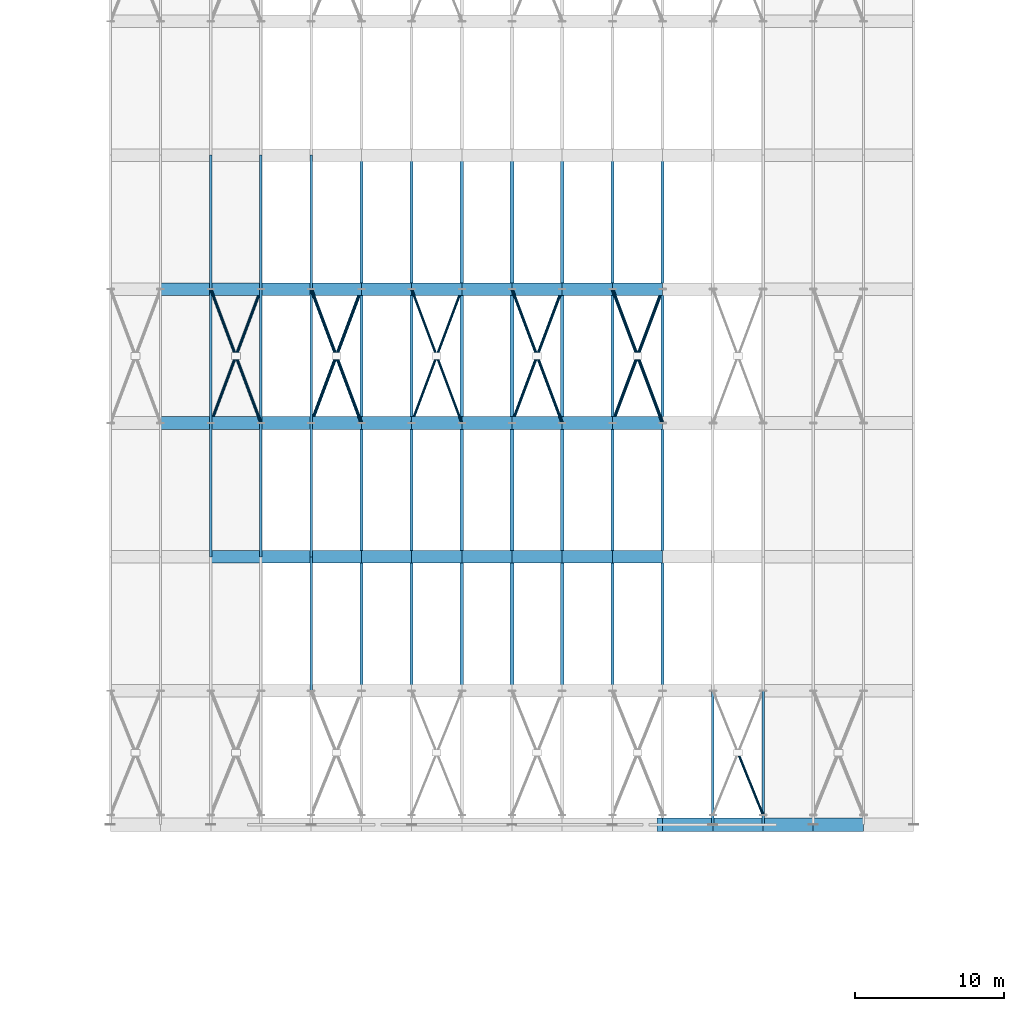
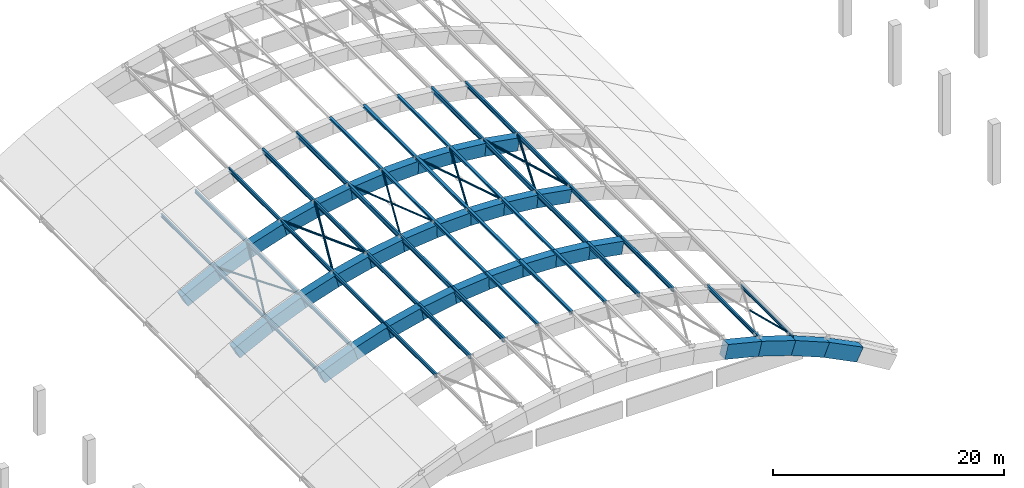
# One storey, part 5 of 30: 73 beams, 16 members.
"""IFC4 building model written with IfcOpenShell, lengths in metres."""

from ifc_helpers import new_model, si_unit, direction, frame, origin, origin_2d, place, context, subcontext, project, spatial, rectangle, hollow_circle, i_section, extrude, material, material_profile, profile_set, type_object, element, save


model = new_model("IFC4")

# Units and contexts
model_context = context("Model", 3, precision=1e-05, world=origin(), true_north=direction((0.0, 1.0)))
body_context = subcontext(model_context, "Body", "Model", "MODEL_VIEW")
ifc_project = project(units=[si_unit("LENGTHUNIT", "METRE"), si_unit("AREAUNIT", "SQUARE_METRE"), si_unit("VOLUMEUNIT", "CUBIC_METRE"), si_unit("PLANEANGLEUNIT", "RADIAN"), si_unit("MASSUNIT", "GRAM", prefix="KILO")], contexts=[model_context])

# Site, building, storey
site_placement = place(None, origin())
site = spatial("IfcSite", under=ifc_project, at=site_placement, CompositionType="ELEMENT")
building_placement = place(site_placement, origin())
building = spatial("IfcBuilding", under=site, at=building_placement, Name="Ornek Quay Market", CompositionType="ELEMENT")
storey_placement = place(building_placement, frame((0.0, 0.0, 12.0)))
storey = spatial("IfcBuildingStorey", under=building, at=storey_placement, Name="L03", CompositionType="ELEMENT", Elevation=12.0)

# Beams
ifc_material_1 = material(Name="Concrete C45/55", Category="concrete")
ifc_material_profile_1 = material_profile(ifc_material_1, rectangle(XDim=0.85009765625, YDim=1.35009765625, at=origin_2d()), Name="RC 850x1350", Category="concrete")
ifc_profile_set_1 = profile_set([ifc_material_profile_1], Name="Concrete C45/55")
beam_type_1 = type_object("IfcBeamType", Name="BM-ARCH-850x1350", PredefinedType="BEAM", material=ifc_profile_set_1)
beam_1_placement = place(storey_placement, frame((70.005615234375, 47.0, 0.10009765625), z_axis=(0.925506425872, 0.0, 0.378731904742), x_axis=(0.0, 1.0, 0.0)))
element("IfcBeam", 1, at=beam_1_placement, inside=storey, type_object=beam_type_1, Name="Arch rib chord F.3", PredefinedType="BEAM", context=body_context, shape_type="SweptSolid", body=[
    extrude(rectangle(XDim=0.85009765625, YDim=1.35009765625, at=origin_2d()), origin(), (0.0, 0.0, 1.0), 3.646728515625),
])
beam_2_placement = place(storey_placement, frame((73.333984375, 47.0, 1.464111328125), z_axis=(0.950807373928, 0.0, 0.309782726575), x_axis=(0.0, 1.0, 0.0)))
element("IfcBeam", 2, at=beam_2_placement, inside=storey, type_object=beam_type_1, Name="Arch rib chord F.4", PredefinedType="BEAM", context=body_context, shape_type="SweptSolid", body=[
    extrude(rectangle(XDim=0.85009765625, YDim=1.35009765625, at=origin_2d()), origin(), (0.0, 0.0, 1.0), 3.549560546875),
])
beam_3_placement = place(storey_placement, frame((76.66259765625, 47.0, 2.550537109375), z_axis=(0.970537665456, 0.0, 0.240949455139), x_axis=(0.0, 1.0, 0.0)))
element("IfcBeam", 3, at=beam_3_placement, inside=storey, type_object=beam_type_1, Name="Arch rib chord F.5", PredefinedType="BEAM", context=body_context, shape_type="SweptSolid", body=[
    extrude(rectangle(XDim=0.85009765625, YDim=1.35009765625, at=origin_2d()), origin(), (0.0, 0.0, 1.0), 3.4775390625),
])
beam_4_placement = place(storey_placement, frame((79.9912109375, 47.0, 3.378662109375), z_axis=(0.985069160971, 0.0, 0.172159077901), x_axis=(0.0, 1.0, 0.0)))
element("IfcBeam", 4, at=beam_4_placement, inside=storey, type_object=beam_type_1, Name="Arch rib chord F.6", PredefinedType="BEAM", context=body_context, shape_type="SweptSolid", body=[
    extrude(rectangle(XDim=0.85009765625, YDim=1.35009765625, at=origin_2d()), origin(), (0.0, 0.0, 1.0), 3.42626953125),
])
beam_5_placement = place(storey_placement, frame((83.319580078125, 47.0, 3.9619140625), z_axis=(0.994648025839, 0.0, 0.10332136611), x_axis=(0.0, 1.0, 0.0)))
element("IfcBeam", 5, at=beam_5_placement, inside=storey, type_object=beam_type_1, Name="Arch rib chord F.7", PredefinedType="BEAM", context=body_context, shape_type="SweptSolid", body=[
    extrude(rectangle(XDim=0.85009765625, YDim=1.35009765625, at=origin_2d()), origin(), (0.0, 0.0, 1.0), 3.39306640625),
])
for number, where, z_axis, x_axis, name in (
    (6, (86.648193359375, 47.0, 4.30908203125), (0.999407715337, 0.0, 0.034412476309), (0.0, 1.0, 0.0), "Arch rib chord F.8"),
    (7, (89.976806640625, 47.0, 4.42529296875), (0.999407715337, 0.0, -0.034412476309), (0.0, 1.0, 0.0), "Arch rib chord F.9"),
):
    element("IfcBeam", number, at=place(storey_placement, frame(where, z_axis=z_axis, x_axis=x_axis)), inside=storey, type_object=beam_type_1, Name=name, PredefinedType="BEAM", context=body_context, shape_type="SweptSolid", body=[
        extrude(rectangle(XDim=0.85009765625, YDim=1.35009765625, at=origin_2d()), origin(), (0.0, 0.0, 1.0), 3.376953125),
    ])
beam_6_placement = place(storey_placement, frame((93.305419921875, 47.0, 4.3125), z_axis=(0.994648025839, 0.0, -0.10332136611), x_axis=(0.0, 1.0, 0.0)))
element("IfcBeam", 8, at=beam_6_placement, inside=storey, type_object=beam_type_1, Name="Arch rib chord F.10", PredefinedType="BEAM", context=body_context, shape_type="SweptSolid", body=[
    extrude(rectangle(XDim=0.85009765625, YDim=1.35009765625, at=origin_2d()), origin(), (0.0, 0.0, 1.0), 3.39306640625),
])
beam_7_placement = place(storey_placement, frame((96.6337890625, 47.0, 3.968505859375), z_axis=(0.985069160971, 0.0, -0.172159077901), x_axis=(0.0, 1.0, 0.0)))
element("IfcBeam", 9, at=beam_7_placement, inside=storey, type_object=beam_type_1, Name="Arch rib chord F.11", PredefinedType="BEAM", context=body_context, shape_type="SweptSolid", body=[
    extrude(rectangle(XDim=0.85009765625, YDim=1.35009765625, at=origin_2d()), origin(), (0.0, 0.0, 1.0), 3.42626953125),
])
beam_8_placement = place(storey_placement, frame((66.677001953125, 56.0, -1.568115234375), z_axis=(0.894245991428, 0.0, 0.447575811248), x_axis=(0.0, 1.0, 0.0)))
element("IfcBeam", 10, at=beam_8_placement, inside=storey, type_object=beam_type_1, Name="Arch rib chord G.2", PredefinedType="BEAM", context=body_context, shape_type="SweptSolid", body=[
    extrude(rectangle(XDim=0.85009765625, YDim=1.35009765625, at=origin_2d()), origin(), (0.0, 0.0, 1.0), 3.774169921875),
])
beam_9_placement = place(storey_placement, frame((70.005615234375, 56.0, 0.10009765625), z_axis=(0.925506425872, 0.0, 0.378731904742), x_axis=(0.0, 1.0, 0.0)))
element("IfcBeam", 11, at=beam_9_placement, inside=storey, type_object=beam_type_1, Name="Arch rib chord G.3", PredefinedType="BEAM", context=body_context, shape_type="SweptSolid", body=[
    extrude(rectangle(XDim=0.85009765625, YDim=1.35009765625, at=origin_2d()), origin(), (0.0, 0.0, 1.0), 3.646728515625),
])
beam_10_placement = place(storey_placement, frame((73.333984375, 56.0, 1.464111328125), z_axis=(0.950807373928, 0.0, 0.309782726575), x_axis=(0.0, 1.0, 0.0)))
element("IfcBeam", 12, at=beam_10_placement, inside=storey, type_object=beam_type_1, Name="Arch rib chord G.4", PredefinedType="BEAM", context=body_context, shape_type="SweptSolid", body=[
    extrude(rectangle(XDim=0.85009765625, YDim=1.35009765625, at=origin_2d()), origin(), (0.0, 0.0, 1.0), 3.549560546875),
])
beam_11_placement = place(storey_placement, frame((76.66259765625, 56.0, 2.550537109375), z_axis=(0.970537665456, 0.0, 0.240949455139), x_axis=(0.0, 1.0, 0.0)))
element("IfcBeam", 13, at=beam_11_placement, inside=storey, type_object=beam_type_1, Name="Arch rib chord G.5", PredefinedType="BEAM", context=body_context, shape_type="SweptSolid", body=[
    extrude(rectangle(XDim=0.85009765625, YDim=1.35009765625, at=origin_2d()), origin(), (0.0, 0.0, 1.0), 3.4775390625),
])
beam_12_placement = place(storey_placement, frame((79.9912109375, 56.0, 3.378662109375), z_axis=(0.985069160971, 0.0, 0.172159077901), x_axis=(0.0, 1.0, 0.0)))
element("IfcBeam", 14, at=beam_12_placement, inside=storey, type_object=beam_type_1, Name="Arch rib chord G.6", PredefinedType="BEAM", context=body_context, shape_type="SweptSolid", body=[
    extrude(rectangle(XDim=0.85009765625, YDim=1.35009765625, at=origin_2d()), origin(), (0.0, 0.0, 1.0), 3.42626953125),
])
beam_13_placement = place(storey_placement, frame((83.319580078125, 56.0, 3.9619140625), z_axis=(0.994648025839, 0.0, 0.10332136611), x_axis=(0.0, 1.0, 0.0)))
element("IfcBeam", 15, at=beam_13_placement, inside=storey, type_object=beam_type_1, Name="Arch rib chord G.7", PredefinedType="BEAM", context=body_context, shape_type="SweptSolid", body=[
    extrude(rectangle(XDim=0.85009765625, YDim=1.35009765625, at=origin_2d()), origin(), (0.0, 0.0, 1.0), 3.39306640625),
])
for number, where, z_axis, x_axis, name in (
    (16, (86.648193359375, 56.0, 4.30908203125), (0.999407715337, 0.0, 0.034412476309), (0.0, 1.0, 0.0), "Arch rib chord G.8"),
    (17, (89.976806640625, 56.0, 4.42529296875), (0.999407715337, 0.0, -0.034412476309), (0.0, 1.0, 0.0), "Arch rib chord G.9"),
):
    element("IfcBeam", number, at=place(storey_placement, frame(where, z_axis=z_axis, x_axis=x_axis)), inside=storey, type_object=beam_type_1, Name=name, PredefinedType="BEAM", context=body_context, shape_type="SweptSolid", body=[
        extrude(rectangle(XDim=0.85009765625, YDim=1.35009765625, at=origin_2d()), origin(), (0.0, 0.0, 1.0), 3.376953125),
    ])
beam_14_placement = place(storey_placement, frame((93.305419921875, 56.0, 4.3125), z_axis=(0.994648025839, 0.0, -0.10332136611), x_axis=(0.0, 1.0, 0.0)))
element("IfcBeam", 18, at=beam_14_placement, inside=storey, type_object=beam_type_1, Name="Arch rib chord G.10", PredefinedType="BEAM", context=body_context, shape_type="SweptSolid", body=[
    extrude(rectangle(XDim=0.85009765625, YDim=1.35009765625, at=origin_2d()), origin(), (0.0, 0.0, 1.0), 3.39306640625),
])
beam_15_placement = place(storey_placement, frame((96.6337890625, 56.0, 3.968505859375), z_axis=(0.985069160971, 0.0, -0.172159077901), x_axis=(0.0, 1.0, 0.0)))
element("IfcBeam", 19, at=beam_15_placement, inside=storey, type_object=beam_type_1, Name="Arch rib chord G.11", PredefinedType="BEAM", context=body_context, shape_type="SweptSolid", body=[
    extrude(rectangle(XDim=0.85009765625, YDim=1.35009765625, at=origin_2d()), origin(), (0.0, 0.0, 1.0), 3.42626953125),
])
beam_16_placement = place(storey_placement, frame((66.677001953125, 65.0, -1.568115234375), z_axis=(0.894245991428, 0.0, 0.447575811248), x_axis=(0.0, 1.0, 0.0)))
element("IfcBeam", 20, at=beam_16_placement, inside=storey, type_object=beam_type_1, Name="Arch rib chord H.2", PredefinedType="BEAM", context=body_context, shape_type="SweptSolid", body=[
    extrude(rectangle(XDim=0.85009765625, YDim=1.35009765625, at=origin_2d()), origin(), (0.0, 0.0, 1.0), 3.774169921875),
])
beam_17_placement = place(storey_placement, frame((70.005615234375, 65.0, 0.10009765625), z_axis=(0.925506425872, 0.0, 0.378731904742), x_axis=(0.0, 1.0, 0.0)))
element("IfcBeam", 21, at=beam_17_placement, inside=storey, type_object=beam_type_1, Name="Arch rib chord H.3", PredefinedType="BEAM", context=body_context, shape_type="SweptSolid", body=[
    extrude(rectangle(XDim=0.85009765625, YDim=1.35009765625, at=origin_2d()), origin(), (0.0, 0.0, 1.0), 3.646728515625),
])
beam_18_placement = place(storey_placement, frame((73.333984375, 65.0, 1.464111328125), z_axis=(0.950807373928, 0.0, 0.309782726575), x_axis=(0.0, 1.0, 0.0)))
element("IfcBeam", 22, at=beam_18_placement, inside=storey, type_object=beam_type_1, Name="Arch rib chord H.4", PredefinedType="BEAM", context=body_context, shape_type="SweptSolid", body=[
    extrude(rectangle(XDim=0.85009765625, YDim=1.35009765625, at=origin_2d()), origin(), (0.0, 0.0, 1.0), 3.549560546875),
])
beam_19_placement = place(storey_placement, frame((76.66259765625, 65.0, 2.550537109375), z_axis=(0.970537665456, 0.0, 0.240949455139), x_axis=(0.0, 1.0, 0.0)))
element("IfcBeam", 23, at=beam_19_placement, inside=storey, type_object=beam_type_1, Name="Arch rib chord H.5", PredefinedType="BEAM", context=body_context, shape_type="SweptSolid", body=[
    extrude(rectangle(XDim=0.85009765625, YDim=1.35009765625, at=origin_2d()), origin(), (0.0, 0.0, 1.0), 3.4775390625),
])
beam_20_placement = place(storey_placement, frame((79.9912109375, 65.0, 3.378662109375), z_axis=(0.985069160971, 0.0, 0.172159077901), x_axis=(0.0, 1.0, 0.0)))
element("IfcBeam", 24, at=beam_20_placement, inside=storey, type_object=beam_type_1, Name="Arch rib chord H.6", PredefinedType="BEAM", context=body_context, shape_type="SweptSolid", body=[
    extrude(rectangle(XDim=0.85009765625, YDim=1.35009765625, at=origin_2d()), origin(), (0.0, 0.0, 1.0), 3.42626953125),
])
beam_21_placement = place(storey_placement, frame((83.319580078125, 65.0, 3.9619140625), z_axis=(0.994648025839, 0.0, 0.10332136611), x_axis=(0.0, 1.0, 0.0)))
element("IfcBeam", 25, at=beam_21_placement, inside=storey, type_object=beam_type_1, Name="Arch rib chord H.7", PredefinedType="BEAM", context=body_context, shape_type="SweptSolid", body=[
    extrude(rectangle(XDim=0.85009765625, YDim=1.35009765625, at=origin_2d()), origin(), (0.0, 0.0, 1.0), 3.39306640625),
])
for number, where, z_axis, x_axis, name in (
    (26, (86.648193359375, 65.0, 4.30908203125), (0.999407715337, 0.0, 0.034412476309), (0.0, 1.0, 0.0), "Arch rib chord H.8"),
    (27, (89.976806640625, 65.0, 4.42529296875), (0.999407715337, 0.0, -0.034412476309), (0.0, 1.0, 0.0), "Arch rib chord H.9"),
):
    element("IfcBeam", number, at=place(storey_placement, frame(where, z_axis=z_axis, x_axis=x_axis)), inside=storey, type_object=beam_type_1, Name=name, PredefinedType="BEAM", context=body_context, shape_type="SweptSolid", body=[
        extrude(rectangle(XDim=0.85009765625, YDim=1.35009765625, at=origin_2d()), origin(), (0.0, 0.0, 1.0), 3.376953125),
    ])
beam_22_placement = place(storey_placement, frame((93.305419921875, 65.0, 4.3125), z_axis=(0.994648025839, 0.0, -0.10332136611), x_axis=(0.0, 1.0, 0.0)))
element("IfcBeam", 28, at=beam_22_placement, inside=storey, type_object=beam_type_1, Name="Arch rib chord H.10", PredefinedType="BEAM", context=body_context, shape_type="SweptSolid", body=[
    extrude(rectangle(XDim=0.85009765625, YDim=1.35009765625, at=origin_2d()), origin(), (0.0, 0.0, 1.0), 3.39306640625),
])
beam_23_placement = place(storey_placement, frame((96.6337890625, 65.0, 3.968505859375), z_axis=(0.985069160971, 0.0, -0.172159077901), x_axis=(0.0, 1.0, 0.0)))
element("IfcBeam", 29, at=beam_23_placement, inside=storey, type_object=beam_type_1, Name="Arch rib chord H.11", PredefinedType="BEAM", context=body_context, shape_type="SweptSolid", body=[
    extrude(rectangle(XDim=0.85009765625, YDim=1.35009765625, at=origin_2d()), origin(), (0.0, 0.0, 1.0), 3.42626953125),
])
ifc_material_profile_2 = material_profile(ifc_material_1, rectangle(XDim=0.89990234375, YDim=1.5, at=origin_2d()), Name="RC 900x1500", Category="concrete")
ifc_profile_set_2 = profile_set([ifc_material_profile_2], Name="Concrete C45/55")
beam_type_2 = type_object("IfcBeamType", Name="BM-ARCH-900x1500", PredefinedType="BEAM", material=ifc_profile_set_2)
beam_24_placement = place(storey_placement, frame((99.9443359375, 29.0, 3.315673828125), z_axis=(0.970537665456, 0.0, -0.240949455139), x_axis=(0.0, 1.0, 0.0)))
element("IfcBeam", 30, at=beam_24_placement, inside=storey, type_object=beam_type_2, Name="Arch rib chord D.12", PredefinedType="BEAM", context=body_context, shape_type="SweptSolid", body=[
    extrude(rectangle(XDim=0.89990234375, YDim=1.5, at=origin_2d()), origin(), (0.0, 0.0, 1.0), 3.4775390625),
])
beam_25_placement = place(storey_placement, frame((103.267578125, 29.0, 2.492431640625), z_axis=(0.950787113767, 0.0, -0.309844903611), x_axis=(0.0, 1.0, 0.0)))
element("IfcBeam", 31, at=beam_25_placement, inside=storey, type_object=beam_type_2, Name="Arch rib chord D.13", PredefinedType="BEAM", context=body_context, shape_type="SweptSolid", body=[
    extrude(rectangle(XDim=0.89990234375, YDim=1.5, at=origin_2d()), origin(), (0.0, 0.0, 1.0), 3.5498046875),
])
beam_26_placement = place(storey_placement, frame((106.591064453125, 29.0, 1.41162109375), z_axis=(0.925529891662, 0.0, -0.378674556368), x_axis=(0.0, 1.0, 0.0)))
element("IfcBeam", 32, at=beam_26_placement, inside=storey, type_object=beam_type_2, Name="Arch rib chord D.14", PredefinedType="BEAM", context=body_context, shape_type="SweptSolid", body=[
    extrude(rectangle(XDim=0.89990234375, YDim=1.5, at=origin_2d()), origin(), (0.0, 0.0, 1.0), 3.646484375),
])
beam_27_placement = place(storey_placement, frame((109.914306640625, 29.0, 0.05419921875), z_axis=(0.894245991428, 0.0, -0.447575811248), x_axis=(0.0, 1.0, 0.0)))
element("IfcBeam", 33, at=beam_27_placement, inside=storey, type_object=beam_type_2, Name="Arch rib chord D.15", PredefinedType="BEAM", context=body_context, shape_type="SweptSolid", body=[
    extrude(rectangle(XDim=0.89990234375, YDim=1.5, at=origin_2d()), origin(), (0.0, 0.0, 1.0), 3.774169921875),
])
ifc_material_2 = material(Name="Steel S355", Category="steel")
ifc_material_profile_3 = material_profile(ifc_material_2, i_section(OverallWidth=0.260009765625, OverallDepth=0.25, WebThickness=0.007568359375, FlangeThickness=0.012451171875, FilletRadius=0.02392578125, at=origin_2d()), Name="HEA 260", Category="steel")
ifc_profile_set_3 = profile_set([ifc_material_profile_3], Name="Steel S355")
beam_type_3 = type_object("IfcBeamType", Name="BM-STL-HEA260", PredefinedType="BEAM", material=ifc_profile_set_3)
for number, where, z_axis, x_axis, name in (
    (34, (86.625, 38.0, 5.149169921875), (0.0, 1.0, 0.0), (-1.0, 0.0, 0.0), "Vault steel purlin VP-025"),
    (35, (93.375, 38.0, 5.149169921875), (0.0, 1.0, 0.0), (-1.0, 0.0, 0.0), "Vault steel purlin VP-027"),
    (36, (86.625, 47.0, 5.149169921875), (0.0, 1.0, 0.0), (-1.0, 0.0, 0.0), "Vault steel purlin VP-042"),
    (37, (93.375, 47.0, 5.149169921875), (0.0, 1.0, 0.0), (-1.0, 0.0, 0.0), "Vault steel purlin VP-044"),
    (38, (86.625, 56.0, 5.149169921875), (0.0, 1.0, 0.0), (-1.0, 0.0, 0.0), "Vault steel purlin VP-059"),
    (39, (93.375, 56.0, 5.149169921875), (0.0, 1.0, 0.0), (-1.0, 0.0, 0.0), "Vault steel purlin VP-061"),
    (40, (86.625, 65.0, 5.149169921875), (0.0, 1.0, 0.0), (-1.0, 0.0, 0.0), "Vault steel purlin VP-076"),
    (41, (93.375, 65.0, 5.149169921875), (0.0, 1.0, 0.0), (-1.0, 0.0, 0.0), "Vault steel purlin VP-078"),
):
    element("IfcBeam", number, at=place(storey_placement, frame(where, z_axis=z_axis, x_axis=x_axis)), inside=storey, type_object=beam_type_3, Name=name, PredefinedType="BEAM", context=body_context, shape_type="SweptSolid", body=[
        extrude(i_section(OverallWidth=0.260009765625, OverallDepth=0.25, WebThickness=0.007568359375, FlangeThickness=0.012451171875, FilletRadius=0.02392578125, at=origin_2d()), origin(), (0.0, 0.0, 1.0), 9.0),
    ])
ifc_material_profile_4 = material_profile(ifc_material_2, i_section(OverallWidth=0.280029296875, OverallDepth=0.27001953125, WebThickness=0.008056640625, FlangeThickness=0.012939453125, FilletRadius=0.02392578125, at=origin_2d()), Name="HEA 280", Category="steel")
ifc_profile_set_4 = profile_set([ifc_material_profile_4], Name="Steel S355")
beam_type_4 = type_object("IfcBeamType", Name="BM-STL-HEA280", PredefinedType="BEAM", material=ifc_profile_set_4)
for number, where, z_axis, x_axis, name in (
    (42, (90.0, 38.0, 5.2568359375), (0.0, 1.0, 0.0), (-1.0, 0.0, 0.0), "Vault steel purlin VP-026"),
    (43, (90.0, 47.0, 5.2568359375), (0.0, 1.0, 0.0), (-1.0, 0.0, 0.0), "Vault steel purlin VP-043"),
    (44, (90.0, 56.0, 5.2568359375), (0.0, 1.0, 0.0), (-1.0, 0.0, 0.0), "Vault steel purlin VP-060"),
    (45, (90.0, 65.0, 5.2568359375), (0.0, 1.0, 0.0), (-1.0, 0.0, 0.0), "Vault steel purlin VP-077"),
):
    element("IfcBeam", number, at=place(storey_placement, frame(where, z_axis=z_axis, x_axis=x_axis)), inside=storey, type_object=beam_type_4, Name=name, PredefinedType="BEAM", context=body_context, shape_type="SweptSolid", body=[
        extrude(i_section(OverallWidth=0.280029296875, OverallDepth=0.27001953125, WebThickness=0.008056640625, FlangeThickness=0.012939453125, FilletRadius=0.02392578125, at=origin_2d()), origin(), (0.0, 0.0, 1.0), 9.0),
    ])
ifc_material_profile_5 = material_profile(ifc_material_2, i_section(OverallWidth=0.159912109375, OverallDepth=0.330078125, WebThickness=0.007568359375, FlangeThickness=0.011474609375, FilletRadius=0.01806640625, at=origin_2d()), Name="IPE 330", Category="steel")
ifc_profile_set_5 = profile_set([ifc_material_profile_5], Name="Steel S355")
beam_type_5 = type_object("IfcBeamType", Name="BM-STL-IPE330", PredefinedType="JOIST", material=ifc_profile_set_5)
for number, where, z_axis, x_axis, name in (
    (46, (69.75, 47.0, 0.8173828125), (0.0, 1.0, 0.0), (-1.0, 0.0, 0.0), "Vault steel purlin VP-037"),
    (47, (69.75, 56.0, 0.8173828125), (0.0, 1.0, 0.0), (-1.0, 0.0, 0.0), "Vault steel purlin VP-054"),
    (48, (69.75, 65.0, 0.8173828125), (0.0, 1.0, 0.0), (-1.0, 0.0, 0.0), "Vault steel purlin VP-071"),
):
    element("IfcBeam", number, at=place(storey_placement, frame(where, z_axis=z_axis, x_axis=x_axis)), inside=storey, type_object=beam_type_5, Name=name, PredefinedType="JOIST", context=body_context, shape_type="SweptSolid", body=[
        extrude(i_section(OverallWidth=0.159912109375, OverallDepth=0.330078125, WebThickness=0.007568359375, FlangeThickness=0.011474609375, FilletRadius=0.01806640625, at=origin_2d()), origin(), (0.0, 0.0, 1.0), 9.0),
    ])
ifc_material_profile_6 = material_profile(ifc_material_2, i_section(OverallWidth=0.169921875, OverallDepth=0.360107421875, WebThickness=0.008056640625, FlangeThickness=0.0126953125, FilletRadius=0.01806640625, at=origin_2d()), Name="IPE 360", Category="steel")
ifc_profile_set_6 = profile_set([ifc_material_profile_6], Name="Steel S355")
beam_type_6 = type_object("IfcBeamType", Name="BM-STL-IPE360", PredefinedType="BEAM", material=ifc_profile_set_6)
for number, where, z_axis, x_axis, name in (
    (49, (106.875, 29.0, 2.194580078125), (0.0, 1.0, 0.0), (-1.0, 0.0, 0.0), "Vault steel purlin VP-014"),
    (50, (73.125, 47.0, 2.194580078125), (0.0, 1.0, 0.0), (-1.0, 0.0, 0.0), "Vault steel purlin VP-038"),
    (51, (73.125, 56.0, 2.194580078125), (0.0, 1.0, 0.0), (-1.0, 0.0, 0.0), "Vault steel purlin VP-055"),
    (52, (73.125, 65.0, 2.194580078125), (0.0, 1.0, 0.0), (-1.0, 0.0, 0.0), "Vault steel purlin VP-072"),
):
    element("IfcBeam", number, at=place(storey_placement, frame(where, z_axis=z_axis, x_axis=x_axis)), inside=storey, type_object=beam_type_6, Name=name, PredefinedType="BEAM", context=body_context, shape_type="SweptSolid", body=[
        extrude(i_section(OverallWidth=0.169921875, OverallDepth=0.360107421875, WebThickness=0.008056640625, FlangeThickness=0.0126953125, FilletRadius=0.01806640625, at=origin_2d()), origin(), (0.0, 0.0, 1.0), 9.0),
    ])
ifc_material_profile_7 = material_profile(ifc_material_2, i_section(OverallWidth=0.179931640625, OverallDepth=0.39990234375, WebThickness=0.008544921875, FlangeThickness=0.013427734375, FilletRadius=0.02099609375, at=origin_2d()), Name="IPE 400", Category="steel")
ifc_profile_set_7 = profile_set([ifc_material_profile_7], Name="Steel S355")
beam_type_7 = type_object("IfcBeamType", Name="BM-STL-IPE400", PredefinedType="BEAM", material=ifc_profile_set_7)
for number, where, z_axis, x_axis, name in (
    (53, (103.5, 29.0, 3.28271484375), (0.0, 1.0, 0.0), (-1.0, 0.0, 0.0), "Vault steel purlin VP-013"),
    (54, (76.5, 38.0, 3.28271484375), (0.0, 1.0, 0.0), (-1.0, 0.0, 0.0), "Vault steel purlin VP-022"),
    (55, (76.5, 47.0, 3.28271484375), (0.0, 1.0, 0.0), (-1.0, 0.0, 0.0), "Vault steel purlin VP-039"),
    (56, (76.5, 56.0, 3.28271484375), (0.0, 1.0, 0.0), (-1.0, 0.0, 0.0), "Vault steel purlin VP-056"),
    (57, (76.5, 65.0, 3.28271484375), (0.0, 1.0, 0.0), (-1.0, 0.0, 0.0), "Vault steel purlin VP-073"),
):
    element("IfcBeam", number, at=place(storey_placement, frame(where, z_axis=z_axis, x_axis=x_axis)), inside=storey, type_object=beam_type_7, Name=name, PredefinedType="BEAM", context=body_context, shape_type="SweptSolid", body=[
        extrude(i_section(OverallWidth=0.179931640625, OverallDepth=0.39990234375, WebThickness=0.008544921875, FlangeThickness=0.013427734375, FilletRadius=0.02099609375, at=origin_2d()), origin(), (0.0, 0.0, 1.0), 9.0),
    ])
ifc_material_profile_8 = material_profile(ifc_material_2, i_section(OverallWidth=0.18994140625, OverallDepth=0.449951171875, WebThickness=0.009521484375, FlangeThickness=0.0146484375, FilletRadius=0.02099609375, at=origin_2d()), Name="IPE 450", Category="steel")
ifc_profile_set_8 = profile_set([ifc_material_profile_8], Name="Steel S355")
beam_type_8 = type_object("IfcBeamType", Name="BM-STL-IPE450", PredefinedType="BEAM", material=ifc_profile_set_8)
for number, where, z_axis, x_axis, name in (
    (58, (79.875, 38.0, 4.101806640625), (0.0, 1.0, 0.0), (-1.0, 0.0, 0.0), "Vault steel purlin VP-023"),
    (59, (100.125, 38.0, 4.101806640625), (0.0, 1.0, 0.0), (-1.0, 0.0, 0.0), "Vault steel purlin VP-029"),
    (60, (79.875, 47.0, 4.101806640625), (0.0, 1.0, 0.0), (-1.0, 0.0, 0.0), "Vault steel purlin VP-040"),
    (61, (100.125, 47.0, 4.101806640625), (0.0, 1.0, 0.0), (-1.0, 0.0, 0.0), "Vault steel purlin VP-046"),
    (62, (79.875, 56.0, 4.101806640625), (0.0, 1.0, 0.0), (-1.0, 0.0, 0.0), "Vault steel purlin VP-057"),
    (63, (100.125, 56.0, 4.101806640625), (0.0, 1.0, 0.0), (-1.0, 0.0, 0.0), "Vault steel purlin VP-063"),
    (64, (79.875, 65.0, 4.101806640625), (0.0, 1.0, 0.0), (-1.0, 0.0, 0.0), "Vault steel purlin VP-074"),
    (65, (100.125, 65.0, 4.101806640625), (0.0, 1.0, 0.0), (-1.0, 0.0, 0.0), "Vault steel purlin VP-080"),
):
    element("IfcBeam", number, at=place(storey_placement, frame(where, z_axis=z_axis, x_axis=x_axis)), inside=storey, type_object=beam_type_8, Name=name, PredefinedType="BEAM", context=body_context, shape_type="SweptSolid", body=[
        extrude(i_section(OverallWidth=0.18994140625, OverallDepth=0.449951171875, WebThickness=0.009521484375, FlangeThickness=0.0146484375, FilletRadius=0.02099609375, at=origin_2d()), origin(), (0.0, 0.0, 1.0), 9.0),
    ])
ifc_material_profile_9 = material_profile(ifc_material_2, i_section(OverallWidth=0.199951171875, OverallDepth=0.5, WebThickness=0.01025390625, FlangeThickness=0.01611328125, FilletRadius=0.02099609375, at=origin_2d()), Name="IPE 500", Category="steel")
ifc_profile_set_9 = profile_set([ifc_material_profile_9], Name="Steel S355")
beam_type_9 = type_object("IfcBeamType", Name="BM-STL-IPE500", PredefinedType="BEAM", material=ifc_profile_set_9)
for number, where, z_axis, x_axis, name in (
    (66, (83.25, 38.0, 4.6708984375), (0.0, 1.0, 0.0), (-1.0, 0.0, 0.0), "Vault steel purlin VP-024"),
    (67, (96.75, 38.0, 4.6708984375), (0.0, 1.0, 0.0), (-1.0, 0.0, 0.0), "Vault steel purlin VP-028"),
    (68, (83.25, 47.0, 4.6708984375), (0.0, 1.0, 0.0), (-1.0, 0.0, 0.0), "Vault steel purlin VP-041"),
    (69, (96.75, 47.0, 4.6708984375), (0.0, 1.0, 0.0), (-1.0, 0.0, 0.0), "Vault steel purlin VP-045"),
    (70, (83.25, 56.0, 4.6708984375), (0.0, 1.0, 0.0), (-1.0, 0.0, 0.0), "Vault steel purlin VP-058"),
    (71, (96.75, 56.0, 4.6708984375), (0.0, 1.0, 0.0), (-1.0, 0.0, 0.0), "Vault steel purlin VP-062"),
    (72, (83.25, 65.0, 4.6708984375), (0.0, 1.0, 0.0), (-1.0, 0.0, 0.0), "Vault steel purlin VP-075"),
    (73, (96.75, 65.0, 4.6708984375), (0.0, 1.0, 0.0), (-1.0, 0.0, 0.0), "Vault steel purlin VP-079"),
):
    element("IfcBeam", number, at=place(storey_placement, frame(where, z_axis=z_axis, x_axis=x_axis)), inside=storey, type_object=beam_type_9, Name=name, PredefinedType="BEAM", context=body_context, shape_type="SweptSolid", body=[
        extrude(i_section(OverallWidth=0.199951171875, OverallDepth=0.5, WebThickness=0.01025390625, FlangeThickness=0.01611328125, FilletRadius=0.02099609375, at=origin_2d()), origin(), (0.0, 0.0, 1.0), 9.0),
    ])

# Members
ifc_material_profile_10 = material_profile(ifc_material_2, hollow_circle(Radius=0.084228515625, WallThickness=0.008056640625, at=origin_2d()), Name="CHS 168.3x8", Category="steel")
ifc_profile_set_10 = profile_set([ifc_material_profile_10], Name="Steel S355")
member_type_1 = type_object("IfcMemberType", Name="MBR-BRC-CHS168", PredefinedType="BRACE", material=ifc_profile_set_10)
member_1_placement = place(storey_placement, frame((106.875, 29.64990234375, 2.225830078125), z_axis=(-0.371971796454, 0.920295649264, 0.121214275513), x_axis=(-0.927131982606, -0.374734955441, 0.0)))
element("IfcMember", 74, at=member_1_placement, inside=storey, type_object=member_type_1, Name="Vault split wind brace VB-020", PredefinedType="BRACE", context=body_context, shape_type="SweptSolid", body=[
    extrude(hollow_circle(Radius=0.084228515625, WallThickness=0.008056640625, at=origin_2d()), origin(), (0.0, 0.0, 1.0), 4.396728515625),
])
member_2_placement = place(storey_placement, frame((83.25, 56.0, 4.75341796875), z_axis=(0.350890442952, 0.935707847873, 0.036424174308), x_axis=(-0.936329177569, 0.351123441588, 0.0)))
element("IfcMember", 75, at=member_2_placement, inside=storey, type_object=member_type_1, Name="Vault wind brace VB-034", PredefinedType="BRACE", context=body_context, shape_type="SweptSolid", body=[
    extrude(hollow_circle(Radius=0.084228515625, WallThickness=0.008056640625, at=origin_2d()), origin(), (0.0, 0.0, 1.0), 9.618408203125),
])
for number, where, z_axis, x_axis, name in (
    (76, (86.625, 56.0, 5.103759765625), (-0.350907366919, 0.935700690063, -0.036445005922), (-0.936322726612, -0.35114064366, 0.0), "Vault split wind brace VB-035"),
    (77, (84.888427734375, 60.631103515625, 4.923583984375), (-0.350907366919, 0.935700690063, -0.036445005922), (-0.936322726612, -0.35114064366, 0.0), "Vault split wind brace VB-036"),
):
    element("IfcMember", number, at=place(storey_placement, frame(where, z_axis=z_axis, x_axis=x_axis)), inside=storey, type_object=member_type_1, Name=name, PredefinedType="BRACE", context=body_context, shape_type="SweptSolid", body=[
        extrude(hollow_circle(Radius=0.084228515625, WallThickness=0.008056640625, at=origin_2d()), origin(), (0.0, 0.0, 1.0), 4.669189453125),
    ])
ifc_material_profile_11 = material_profile(ifc_material_2, hollow_circle(Radius=0.096923828125, WallThickness=0.010009765625, at=origin_2d()), Name="CHS 193.7x10", Category="steel")
ifc_profile_set_11 = profile_set([ifc_material_profile_11], Name="Steel S355")
member_type_2 = type_object("IfcMemberType", Name="MBR-BRC-CHS193", PredefinedType="BRACE", material=ifc_profile_set_11)
member_3_placement = place(storey_placement, frame((69.75, 56.0, 0.8447265625), z_axis=(0.347554063633, 0.926810836355, 0.142224633823), x_axis=(-0.936329177569, 0.351123441588, 0.0)))
element("IfcMember", 78, at=member_3_placement, inside=storey, type_object=member_type_2, Name="Vault wind brace VB-028", PredefinedType="BRACE", context=body_context, shape_type="SweptSolid", body=[
    extrude(hollow_circle(Radius=0.096923828125, WallThickness=0.010009765625, at=origin_2d()), origin(), (0.0, 0.0, 1.0), 9.710693359375),
])
for number, where, z_axis, x_axis, name in (
    (79, (73.125, 56.0, 2.225830078125), (-0.347576470055, 0.926801551317, -0.142230383322), (-0.936320578645, -0.351146371198, 0.0), "Vault split wind brace VB-029"),
    (80, (71.388916015625, 60.6298828125, 1.515380859375), (-0.347576470055, 0.926801551317, -0.142230383322), (-0.936320578645, -0.351146371198, 0.0), "Vault split wind brace VB-030"),
):
    element("IfcMember", number, at=place(storey_placement, frame(where, z_axis=z_axis, x_axis=x_axis)), inside=storey, type_object=member_type_2, Name=name, PredefinedType="BRACE", context=body_context, shape_type="SweptSolid", body=[
        extrude(hollow_circle(Radius=0.096923828125, WallThickness=0.010009765625, at=origin_2d()), origin(), (0.0, 0.0, 1.0), 4.71533203125),
    ])
member_4_placement = place(storey_placement, frame((90.0, 56.0, 5.219970703125), z_axis=(0.35109778208, 0.936260752214, -0.012089304418), x_axis=(-0.936329177569, 0.351123441588, 0.0)))
element("IfcMember", 81, at=member_4_placement, inside=storey, type_object=member_type_2, Name="Vault wind brace VB-037", PredefinedType="BRACE", context=body_context, shape_type="SweptSolid", body=[
    extrude(hollow_circle(Radius=0.096923828125, WallThickness=0.010009765625, at=origin_2d()), origin(), (0.0, 0.0, 1.0), 9.61279296875),
])
for number, where, z_axis, x_axis, name in (
    (82, (93.375, 56.0, 5.103759765625), (-0.351069127349, 0.936271540076, 0.012085986351), (-0.936339928659, -0.351094770679, 0.0), "Vault split wind brace VB-038"),
    (83, (91.63818359375, 60.631103515625, 5.16357421875), (-0.351069127349, 0.936271540076, 0.012085986351), (-0.936339928659, -0.351094770679, 0.0), "Vault split wind brace VB-039"),
):
    element("IfcMember", number, at=place(storey_placement, frame(where, z_axis=z_axis, x_axis=x_axis)), inside=storey, type_object=member_type_2, Name=name, PredefinedType="BRACE", context=body_context, shape_type="SweptSolid", body=[
        extrude(hollow_circle(Radius=0.096923828125, WallThickness=0.010009765625, at=origin_2d()), origin(), (0.0, 0.0, 1.0), 4.666259765625),
    ])
ifc_material_profile_12 = material_profile(ifc_material_2, hollow_circle(Radius=0.109619140625, WallThickness=0.010009765625, at=origin_2d()), Name="CHS 219.1x10", Category="steel")
ifc_profile_set_12 = profile_set([ifc_material_profile_12], Name="Steel S355")
member_type_3 = type_object("IfcMemberType", Name="MBR-STR-CHS219", PredefinedType="STRUT", material=ifc_profile_set_12)
member_5_placement = place(storey_placement, frame((76.5, 56.0, 3.32568359375), z_axis=(0.349796932996, 0.932791821322, 0.086841946907), x_axis=(-0.936329177569, 0.351123441588, 0.0)))
element("IfcMember", 84, at=member_5_placement, inside=storey, type_object=member_type_3, Name="Vault wind brace VB-031", PredefinedType="STRUT", context=body_context, shape_type="SweptSolid", body=[
    extrude(hollow_circle(Radius=0.109619140625, WallThickness=0.010009765625, at=origin_2d()), origin(), (0.0, 0.0, 1.0), 9.6484375),
])
for number, where, z_axis, x_axis, name in (
    (85, (79.875, 56.0, 4.16357421875), (-0.349780083349, 0.932799009341, -0.086832605999), (-0.936335627578, -0.351106241084, 0.0), "Vault split wind brace VB-032"),
    (86, (78.138427734375, 60.630615234375, 3.732421875), (-0.349780083349, 0.932799009341, -0.086832605999), (-0.936335627578, -0.351106241084, 0.0), "Vault split wind brace VB-033"),
):
    element("IfcMember", number, at=place(storey_placement, frame(where, z_axis=z_axis, x_axis=x_axis)), inside=storey, type_object=member_type_3, Name=name, PredefinedType="STRUT", context=body_context, shape_type="SweptSolid", body=[
        extrude(hollow_circle(Radius=0.109619140625, WallThickness=0.010009765625, at=origin_2d()), origin(), (0.0, 0.0, 1.0), 4.68408203125),
    ])
member_6_placement = place(storey_placement, frame((96.75, 56.0, 4.75341796875), z_axis=(0.350464189625, 0.934571172333, -0.061250107215), x_axis=(-0.936329177569, 0.351123441588, 0.0)))
element("IfcMember", 87, at=member_6_placement, inside=storey, type_object=member_type_3, Name="Vault wind brace VB-040", PredefinedType="STRUT", context=body_context, shape_type="SweptSolid", body=[
    extrude(hollow_circle(Radius=0.109619140625, WallThickness=0.010009765625, at=origin_2d()), origin(), (0.0, 0.0, 1.0), 9.630126953125),
])
for number, where, z_axis, x_axis, name in (
    (88, (100.125, 56.0, 4.16357421875), (-0.350465166252, 0.934573776671, 0.061204764543), (-0.936329177569, -0.351123441588, 0.0), "Vault split wind brace VB-041"),
    (89, (98.388427734375, 60.630859375, 4.467041015625), (-0.350464045599, 0.934570788265, 0.061256791162), (-0.936329177569, -0.351123441588, 0.0), "Vault split wind brace VB-042"),
):
    element("IfcMember", number, at=place(storey_placement, frame(where, z_axis=z_axis, x_axis=x_axis)), inside=storey, type_object=member_type_3, Name=name, PredefinedType="STRUT", context=body_context, shape_type="SweptSolid", body=[
        extrude(hollow_circle(Radius=0.109619140625, WallThickness=0.010009765625, at=origin_2d()), origin(), (0.0, 0.0, 1.0), 4.675048828125),
    ])

save(model, "model.ifc")
